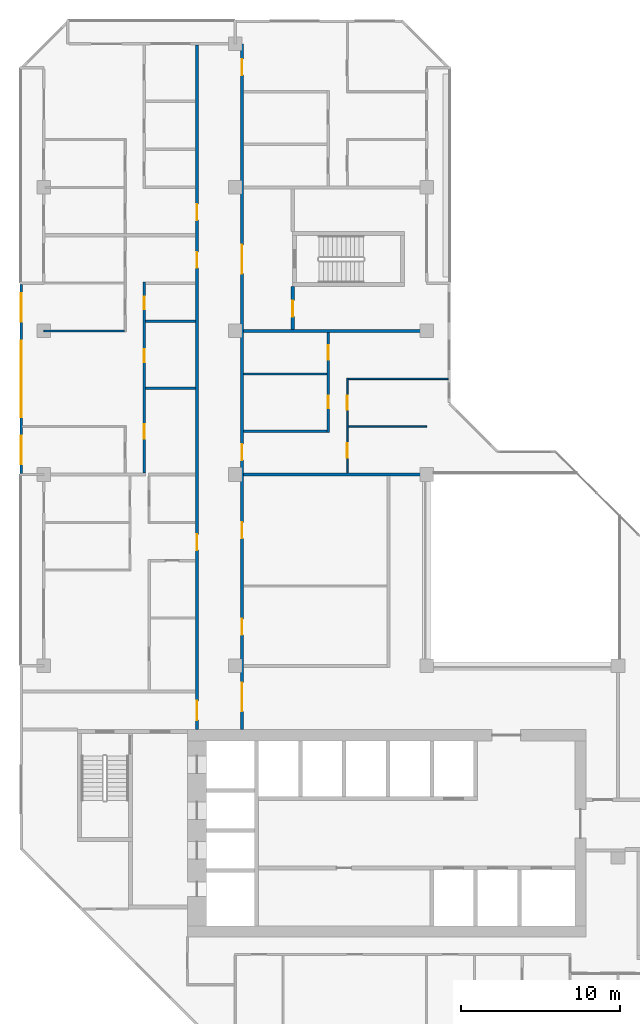
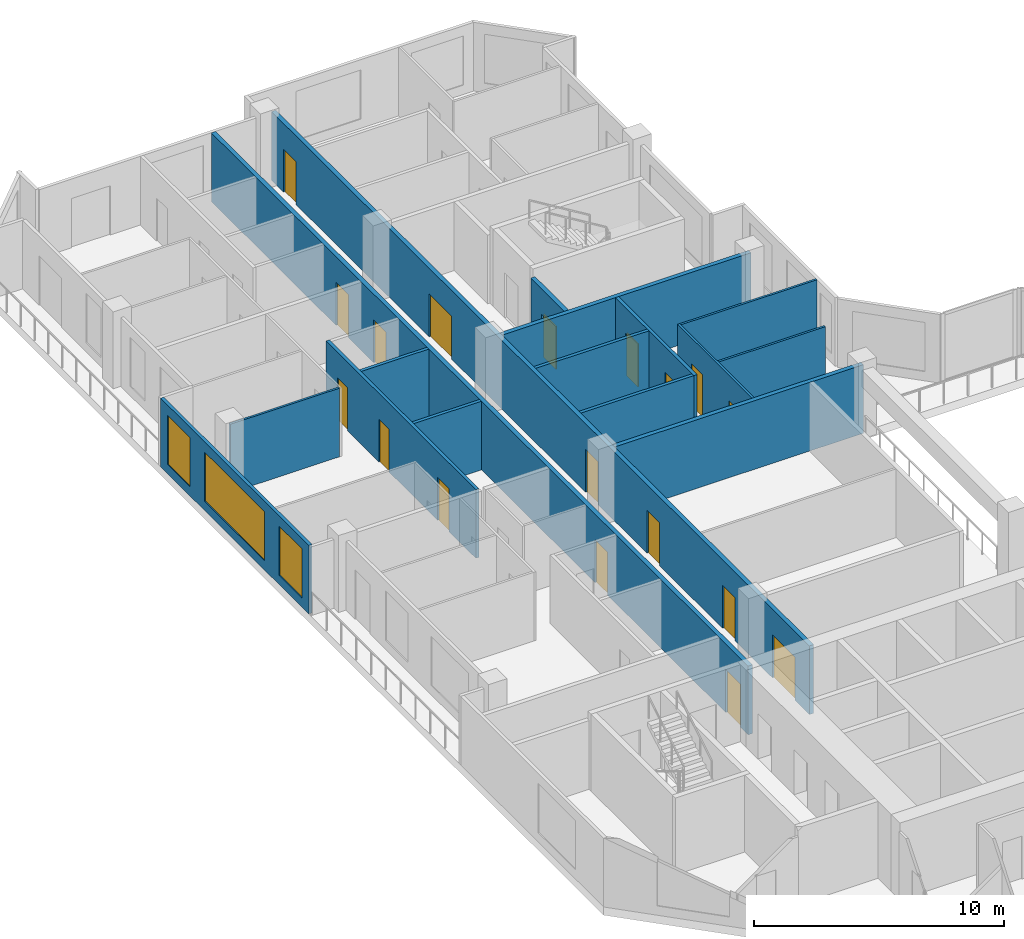
# One storey, part 9 of 14: 18 doors, 16 walls, 3 windows, 21 openings.
"""IFC4 building model written with IfcOpenShell, lengths in metres."""

from ifc_helpers import new_model, si_unit, direction, frame, frame_2d, origin, place, context, subcontext, project, spatial, rectangle, extrude, material, layer, layer_set, type_object, element, fill, save


model = new_model("IFC4")

# Units and contexts
model_context = context("Model", 3, precision=1e-05, world=origin(), true_north=direction((0.0, 1.0)))
body_context = subcontext(model_context, "Body", "Model", "MODEL_VIEW")
ifc_project = project(units=[si_unit("LENGTHUNIT", "METRE"), si_unit("AREAUNIT", "SQUARE_METRE"), si_unit("VOLUMEUNIT", "CUBIC_METRE"), si_unit("PLANEANGLEUNIT", "RADIAN"), si_unit("MASSUNIT", "GRAM", prefix="KILO")], contexts=[model_context])

# Site, building, storey
site_placement = place(None, origin())
site = spatial("IfcSite", under=ifc_project, at=site_placement, CompositionType="ELEMENT")
building_placement = place(site_placement, origin())
building = spatial("IfcBuilding", under=site, at=building_placement, Name="Chenar Terraces", CompositionType="ELEMENT")
storey_placement = place(building_placement, frame((0.0, 0.0, 241.64990234375)))
storey = spatial("IfcBuildingStorey", under=building, at=storey_placement, Name="L57", CompositionType="ELEMENT", Elevation=241.64990234375)

# Wall, openings, doors
ifc_material_1 = material(Name="Gypsum board on steel studs with fire boards", Category="steel")
ifc_layer_1 = layer(ifc_material_1, 0.199951171875)
ifc_layer_set_1 = layer_set([ifc_layer_1], Name="Gypsum board on steel studs with fire boards")
wall_type_1 = type_object("IfcWallType", Name="Corridor wall 200", PredefinedType="PARTITIONING", material=ifc_layer_set_1)
wall_1_placement = place(storey_placement, frame((9.60009765625, 20.0, 0.0), z_axis=(0.0, 0.0, 1.0), x_axis=(0.0, 1.0, 0.0)))
wall_1 = element("IfcWall", 1, at=wall_1_placement, inside=storey, type_object=wall_type_1, Name="Partition L57-033", PredefinedType="PARTITIONING", context=body_context, shape_type="SweptSolid", body=[
    extrude(rectangle(XDim=42.926025390625, YDim=0.199951171875, at=frame_2d((21.462890625, 0.0))), origin(), (0.0, 0.0, 1.0), 3.35009765625),
])
opening_1_placement = place(wall_1_placement, frame((28.949951171875, 0.0, 0.0)))
opening_1 = element("IfcOpeningElement", 2, at=opening_1_placement, cuts=wall_1, Name="Opening DL57-28", PredefinedType="OPENING", context=body_context, shape_type="SweptSolid", body=[
    extrude(rectangle(XDim=1.0, YDim=2.10009765625, at=frame_2d((0.5, 1.050048828125))), frame((0.0, 0.10986328125, 0.0), z_axis=(0.0, -1.0, 0.0), x_axis=(1.0, 0.0, 0.0)), (0.0, 0.0, 1.0), 0.219970703125),
])
opening_2_placement = place(wall_1_placement, frame((31.949951171875, 0.0, 0.0)))
opening_2 = element("IfcOpeningElement", 3, at=opening_2_placement, cuts=wall_1, Name="Opening DL57-34", PredefinedType="OPENING", context=body_context, shape_type="SweptSolid", body=[
    extrude(rectangle(XDim=1.0, YDim=2.10009765625, at=frame_2d((0.5, 1.050048828125))), frame((0.0, 0.10986328125, 0.0), z_axis=(0.0, -1.0, 0.0), x_axis=(1.0, 0.0, 0.0)), (0.0, 0.0, 1.0), 0.219970703125),
])
opening_3_placement = place(wall_1_placement, frame((0.60009765625, 0.0, 0.0)))
opening_3 = element("IfcOpeningElement", 4, at=opening_3_placement, cuts=wall_1, Name="Opening DL57-38", PredefinedType="OPENING", context=body_context, shape_type="SweptSolid", body=[
    extrude(rectangle(XDim=1.199951171875, YDim=2.10009765625, at=frame_2d((0.60009765625, 1.050048828125))), frame((0.0, 0.10986328125, 0.0), z_axis=(0.0, -1.0, 0.0), x_axis=(1.0, 0.0, 0.0)), (0.0, 0.0, 1.0), 0.219970703125),
])
opening_4_placement = place(wall_1_placement, frame((11.25, 0.0, 0.0)))
opening_4 = element("IfcOpeningElement", 5, at=opening_4_placement, cuts=wall_1, Name="Opening DL57-63", PredefinedType="OPENING", context=body_context, shape_type="SweptSolid", body=[
    extrude(rectangle(XDim=1.0, YDim=2.10009765625, at=frame_2d((0.5, 1.050048828125))), frame((0.0, 0.10986328125, 0.0), z_axis=(0.0, -1.0, 0.0), x_axis=(1.0, 0.0, 0.0)), (0.0, 0.0, 1.0), 0.219970703125),
])
ifc_material_2 = material(Name="Steel-framed fire-resisting door leaf", Category="steel")
door_type_1 = type_object("IfcDoorType", Name="Fire door FD30S 1000 x 2100", OperationType="SINGLE_SWING_LEFT", PredefinedType="DOOR", material=ifc_material_2)
door_1_placement = place(opening_1_placement, origin())
door_1 = element("IfcDoor", 6, at=door_1_placement, inside=storey, type_object=door_type_1, Name="Door DL57-28", OperationType="SINGLE_SWING_LEFT", OverallHeight=2.10009765625, OverallWidth=1.0, PredefinedType="DOOR", context=body_context, shape_type="SweptSolid", body=[
    extrude(rectangle(XDim=1.0, YDim=2.10009765625, at=frame_2d((0.5, 1.050048828125))), frame((0.0, 0.02490234375, 0.0), z_axis=(0.0, -1.0, 0.0), x_axis=(1.0, 0.0, 0.0)), (0.0, 0.0, 1.0), 0.050048828125),
])
fill(opening_1, door_1)
door_2_placement = place(opening_2_placement, origin())
door_2 = element("IfcDoor", 7, at=door_2_placement, inside=storey, type_object=door_type_1, Name="Door DL57-34", OperationType="SINGLE_SWING_LEFT", OverallHeight=2.10009765625, OverallWidth=1.0, PredefinedType="DOOR", context=body_context, shape_type="SweptSolid", body=[
    extrude(rectangle(XDim=1.0, YDim=2.10009765625, at=frame_2d((0.5, 1.050048828125))), frame((0.0, 0.02490234375, 0.0), z_axis=(0.0, -1.0, 0.0), x_axis=(1.0, 0.0, 0.0)), (0.0, 0.0, 1.0), 0.050048828125),
])
fill(opening_2, door_2)
door_3_placement = place(opening_4_placement, origin())
door_3 = element("IfcDoor", 8, at=door_3_placement, inside=storey, type_object=door_type_1, Name="Door DL57-63", OperationType="SINGLE_SWING_LEFT", OverallHeight=2.10009765625, OverallWidth=1.0, PredefinedType="DOOR", context=body_context, shape_type="SweptSolid", body=[
    extrude(rectangle(XDim=1.0, YDim=2.10009765625, at=frame_2d((0.5, 1.050048828125))), frame((0.0, 0.02490234375, 0.0), z_axis=(0.0, -1.0, 0.0), x_axis=(1.0, 0.0, 0.0)), (0.0, 0.0, 1.0), 0.050048828125),
])
fill(opening_4, door_3)
ifc_material_3 = material(Name="Steel-framed fire-resisting door leaf", Category="steel")
door_type_2 = type_object("IfcDoorType", Name="Fire door FD30S 1200 x 2100", OperationType="SINGLE_SWING_LEFT", PredefinedType="DOOR", material=ifc_material_3)
door_4_placement = place(opening_3_placement, origin())
door_4 = element("IfcDoor", 9, at=door_4_placement, inside=storey, type_object=door_type_2, Name="Door DL57-38", OperationType="SINGLE_SWING_RIGHT", OverallHeight=2.10009765625, OverallWidth=1.199951171875, PredefinedType="DOOR", context=body_context, shape_type="SweptSolid", body=[
    extrude(rectangle(XDim=1.199951171875, YDim=2.10009765625, at=frame_2d((0.60009765625, 1.050048828125))), frame((0.0, 0.02490234375, 0.0), z_axis=(0.0, -1.0, 0.0), x_axis=(1.0, 0.0, 0.0)), (0.0, 0.0, 1.0), 0.050048828125),
])
fill(opening_3, door_4)

wall_2_placement = place(storey_placement, frame((12.425048828125, 20.0, 0.0), z_axis=(0.0, 0.0, 1.0), x_axis=(0.0, 1.0, 0.0)))
wall_2 = element("IfcWall", 10, at=wall_2_placement, inside=storey, type_object=wall_type_1, Name="Partition L57-036", PredefinedType="PARTITIONING", context=body_context, shape_type="SweptSolid", body=[
    extrude(rectangle(XDim=43.0, YDim=0.199951171875, at=frame_2d((21.5, 0.0))), origin(), (0.0, 0.0, 1.0), 3.35009765625),
])
opening_5_placement = place(wall_2_placement, frame((5.949951171875, 0.0, 0.0)))
opening_5 = element("IfcOpeningElement", 11, at=opening_5_placement, cuts=wall_2, Name="Opening DL57-1", PredefinedType="OPENING", context=body_context, shape_type="SweptSolid", body=[
    extrude(rectangle(XDim=1.0, YDim=2.10009765625, at=frame_2d((0.5, 1.050048828125))), frame((0.0, 0.10986328125, 0.0), z_axis=(0.0, -1.0, 0.0), x_axis=(1.0, 0.0, 0.0)), (0.0, 0.0, 1.0), 0.219970703125),
])
opening_6_placement = place(wall_2_placement, frame((12.0, 0.0, 0.0)))
opening_6 = element("IfcOpeningElement", 12, at=opening_6_placement, cuts=wall_2, Name="Opening DL57-2", PredefinedType="OPENING", context=body_context, shape_type="SweptSolid", body=[
    extrude(rectangle(XDim=1.0, YDim=2.10009765625, at=frame_2d((0.5, 1.050048828125))), frame((0.0, 0.10986328125, 0.0), z_axis=(0.0, -1.0, 0.0), x_axis=(1.0, 0.0, 0.0)), (0.0, 0.0, 1.0), 0.219970703125),
])
opening_7_placement = place(wall_2_placement, frame((16.89990234375, 0.0, 0.0)))
opening_7 = element("IfcOpeningElement", 13, at=opening_7_placement, cuts=wall_2, Name="Opening DL57-17", PredefinedType="OPENING", context=body_context, shape_type="SweptSolid", body=[
    extrude(rectangle(XDim=1.0, YDim=2.10009765625, at=frame_2d((0.5, 1.050048828125))), frame((0.0, 0.10986328125, 0.0), z_axis=(0.0, -1.0, 0.0), x_axis=(1.0, 0.0, 0.0)), (0.0, 0.0, 1.0), 0.219970703125),
])
opening_8_placement = place(wall_2_placement, frame((41.050048828125, 0.0, 0.0)))
opening_8 = element("IfcOpeningElement", 14, at=opening_8_placement, cuts=wall_2, Name="Opening DL57-22", PredefinedType="OPENING", context=body_context, shape_type="SweptSolid", body=[
    extrude(rectangle(XDim=1.0, YDim=2.10009765625, at=frame_2d((0.5, 1.050048828125))), frame((0.0, 0.10986328125, 0.0), z_axis=(0.0, -1.0, 0.0), x_axis=(1.0, 0.0, 0.0)), (0.0, 0.0, 1.0), 0.219970703125),
])
opening_9_placement = place(wall_2_placement, frame((1.14990234375, 0.0, 0.0)))
opening_9 = element("IfcOpeningElement", 15, at=opening_9_placement, cuts=wall_2, Name="Opening DL57-37", PredefinedType="OPENING", context=body_context, shape_type="SweptSolid", body=[
    extrude(rectangle(XDim=1.800048828125, YDim=2.10009765625, at=frame_2d((0.89990234375, 1.050048828125))), frame((0.0, 0.10986328125, 0.0), z_axis=(0.0, -1.0, 0.0), x_axis=(1.0, 0.0, 0.0)), (0.0, 0.0, 1.0), 0.219970703125),
])
opening_10_placement = place(wall_2_placement, frame((28.60009765625, 0.0, 0.0)))
opening_10 = element("IfcOpeningElement", 16, at=opening_10_placement, cuts=wall_2, Name="Opening DL57-39", PredefinedType="OPENING", context=body_context, shape_type="SweptSolid", body=[
    extrude(rectangle(XDim=1.800048828125, YDim=2.10009765625, at=frame_2d((0.89990234375, 1.050048828125))), frame((0.0, 0.10986328125, 0.0), z_axis=(0.0, -1.0, 0.0), x_axis=(1.0, 0.0, 0.0)), (0.0, 0.0, 1.0), 0.219970703125),
])
ifc_material_4 = material(Name="Steel-framed fire-resisting door leaf", Category="steel")
door_type_3 = type_object("IfcDoorType", Name="Fire door FD60 1000 x 2100", OperationType="SINGLE_SWING_LEFT", PredefinedType="DOOR", material=ifc_material_4)
door_5_placement = place(opening_5_placement, frame((1.0, 0.0, 0.0), z_axis=(0.0, 0.0, 1.0), x_axis=(-1.0, 0.0, 0.0)))
door_5 = element("IfcDoor", 17, at=door_5_placement, inside=storey, type_object=door_type_3, Name="Door DL57-1", OperationType="SINGLE_SWING_LEFT", OverallHeight=2.10009765625, OverallWidth=1.0, PredefinedType="DOOR", context=body_context, shape_type="SweptSolid", body=[
    extrude(rectangle(XDim=1.0, YDim=2.10009765625, at=frame_2d((0.5, 1.050048828125))), frame((0.0, 0.02490234375, 0.0), z_axis=(0.0, -1.0, 0.0), x_axis=(1.0, 0.0, 0.0)), (0.0, 0.0, 1.0), 0.050048828125),
])
fill(opening_5, door_5)
door_6_placement = place(opening_6_placement, frame((1.0, 0.0, 0.0), z_axis=(0.0, 0.0, 1.0), x_axis=(-1.0, 0.0, 0.0)))
door_6 = element("IfcDoor", 18, at=door_6_placement, inside=storey, type_object=door_type_3, Name="Door DL57-2", OperationType="SINGLE_SWING_LEFT", OverallHeight=2.10009765625, OverallWidth=1.0, PredefinedType="DOOR", context=body_context, shape_type="SweptSolid", body=[
    extrude(rectangle(XDim=1.0, YDim=2.10009765625, at=frame_2d((0.5, 1.050048828125))), frame((0.0, 0.02490234375, 0.0), z_axis=(0.0, -1.0, 0.0), x_axis=(1.0, 0.0, 0.0)), (0.0, 0.0, 1.0), 0.050048828125),
])
fill(opening_6, door_6)
door_7_placement = place(opening_7_placement, frame((1.0, 0.0, 0.0), z_axis=(0.0, 0.0, 1.0), x_axis=(-1.0, 0.0, 0.0)))
door_7 = element("IfcDoor", 19, at=door_7_placement, inside=storey, type_object=door_type_3, Name="Door DL57-17", OperationType="SINGLE_SWING_LEFT", OverallHeight=2.10009765625, OverallWidth=1.0, PredefinedType="DOOR", context=body_context, shape_type="SweptSolid", body=[
    extrude(rectangle(XDim=1.0, YDim=2.10009765625, at=frame_2d((0.5, 1.050048828125))), frame((0.0, 0.02490234375, 0.0), z_axis=(0.0, -1.0, 0.0), x_axis=(1.0, 0.0, 0.0)), (0.0, 0.0, 1.0), 0.050048828125),
])
fill(opening_7, door_7)
door_8_placement = place(opening_8_placement, frame((1.0, 0.0, 0.0), z_axis=(0.0, 0.0, 1.0), x_axis=(-1.0, 0.0, 0.0)))
door_8 = element("IfcDoor", 20, at=door_8_placement, inside=storey, type_object=door_type_3, Name="Door DL57-22", OperationType="SINGLE_SWING_RIGHT", OverallHeight=2.10009765625, OverallWidth=1.0, PredefinedType="DOOR", context=body_context, shape_type="SweptSolid", body=[
    extrude(rectangle(XDim=1.0, YDim=2.10009765625, at=frame_2d((0.5, 1.050048828125))), frame((0.0, 0.02490234375, 0.0), z_axis=(0.0, -1.0, 0.0), x_axis=(1.0, 0.0, 0.0)), (0.0, 0.0, 1.0), 0.050048828125),
])
fill(opening_8, door_8)
ifc_material_5 = material(Name="Steel-framed fire-resisting door leaf", Category="steel")
door_type_4 = type_object("IfcDoorType", Name="Fire double door FD60 1800 x 2100", OperationType="DOUBLE_DOOR_SINGLE_SWING", PredefinedType="DOOR", material=ifc_material_5)
door_9_placement = place(opening_9_placement, frame((1.800048828125, 0.0, 0.0), z_axis=(0.0, 0.0, 1.0), x_axis=(-1.0, 0.0, 0.0)))
door_9 = element("IfcDoor", 21, at=door_9_placement, inside=storey, type_object=door_type_4, Name="Door DL57-37", OperationType="DOUBLE_DOOR_SINGLE_SWING", OverallHeight=2.10009765625, OverallWidth=1.800048828125, PredefinedType="DOOR", context=body_context, shape_type="SweptSolid", body=[
    extrude(rectangle(XDim=1.800048828125, YDim=2.10009765625, at=frame_2d((0.89990234375, 1.050048828125))), frame((0.0, 0.02490234375, 0.0), z_axis=(0.0, -1.0, 0.0), x_axis=(1.0, 0.0, 0.0)), (0.0, 0.0, 1.0), 0.050048828125),
])
fill(opening_9, door_9)
door_10_placement = place(opening_10_placement, frame((1.800048828125, 0.0, 0.0), z_axis=(0.0, 0.0, 1.0), x_axis=(-1.0, 0.0, 0.0)))
door_10 = element("IfcDoor", 22, at=door_10_placement, inside=storey, type_object=door_type_4, Name="Door DL57-39", OperationType="DOUBLE_DOOR_SINGLE_SWING", OverallHeight=2.10009765625, OverallWidth=1.800048828125, PredefinedType="DOOR", context=body_context, shape_type="SweptSolid", body=[
    extrude(rectangle(XDim=1.800048828125, YDim=2.10009765625, at=frame_2d((0.89990234375, 1.050048828125))), frame((0.0, 0.02490234375, 0.0), z_axis=(0.0, -1.0, 0.0), x_axis=(1.0, 0.0, 0.0)), (0.0, 0.0, 1.0), 0.050048828125),
])
fill(opening_10, door_10)

# Wall, opening, door
wall_3_placement = place(storey_placement, frame((15.60009765625, 45.10009765625, 0.0), z_axis=(0.0, 0.0, 1.0), x_axis=(0.0, 1.0, 0.0)))
wall_3 = element("IfcWall", 23, at=wall_3_placement, inside=storey, type_object=wall_type_1, Name="Partition L57-047", PredefinedType="PARTITIONING", context=body_context, shape_type="SweptSolid", body=[
    extrude(rectangle(XDim=2.6748046875, YDim=0.199951171875, at=frame_2d((1.33740234375, 0.0))), origin(), (0.0, 0.0, 1.0), 3.35009765625),
])
opening_11_placement = place(wall_3_placement, frame((0.800048828125, 0.0, 0.0)))
opening_11 = element("IfcOpeningElement", 24, at=opening_11_placement, cuts=wall_3, Name="Opening DL57-41", PredefinedType="OPENING", context=body_context, shape_type="SweptSolid", body=[
    extrude(rectangle(XDim=1.0, YDim=2.10009765625, at=frame_2d((0.5, 1.050048828125))), frame((0.0, 0.10986328125, 0.0), z_axis=(0.0, -1.0, 0.0), x_axis=(1.0, 0.0, 0.0)), (0.0, 0.0, 1.0), 0.219970703125),
])
door_11_placement = place(opening_11_placement, frame((1.0, 0.0, 0.0), z_axis=(0.0, 0.0, 1.0), x_axis=(-1.0, 0.0, 0.0)))
door_11 = element("IfcDoor", 25, at=door_11_placement, inside=storey, type_object=door_type_3, Name="Door DL57-41", OperationType="SINGLE_SWING_RIGHT", OverallHeight=2.10009765625, OverallWidth=1.0, PredefinedType="DOOR", context=body_context, shape_type="SweptSolid", body=[
    extrude(rectangle(XDim=1.0, YDim=2.10009765625, at=frame_2d((0.5, 1.050048828125))), frame((0.0, 0.02490234375, 0.0), z_axis=(0.0, -1.0, 0.0), x_axis=(1.0, 0.0, 0.0)), (0.0, 0.0, 1.0), 0.050048828125),
])
fill(opening_11, door_11)

# Wall, openings, windows
ifc_material_6 = material(Name="Aluminium framed glazing", Category="aluminium")
ifc_layer_2 = layer(ifc_material_6, 0.14990234375)
ifc_layer_set_2 = layer_set([ifc_layer_2], Name="Aluminium framed glazing")
wall_type_2 = type_object("IfcWallType", Name="Glazed flush facade wall 150", PredefinedType="SOLIDWALL", material=ifc_layer_set_2)
wall_4_placement = place(storey_placement, frame((-1.425048828125, 47.925048828125, 0.0), z_axis=(0.0, 0.0, 1.0), x_axis=(0.0, -1.0, 0.0)))
wall_4 = element("IfcWall", 26, at=wall_4_placement, inside=storey, type_object=wall_type_2, Name="Glazed flush facade wall", PredefinedType="SOLIDWALL", context=body_context, shape_type="SweptSolid", body=[
    extrude(rectangle(XDim=11.85009765625, YDim=0.14990234375, at=frame_2d((5.925048828125, 0.0))), origin(), (0.0, 0.0, 1.0), 3.35009765625),
])
opening_12_placement = place(wall_4_placement, frame((0.5625, 0.0, 0.449951171875)))
opening_12 = element("IfcOpeningElement", 27, at=opening_12_placement, cuts=wall_4, Name="Opening W180x240", PredefinedType="OPENING", context=body_context, shape_type="SweptSolid", body=[
    extrude(rectangle(XDim=1.800048828125, YDim=2.39990234375, at=frame_2d((0.89990234375, 1.199951171875))), frame((0.0, 0.0849609375, 0.0), z_axis=(0.0, -1.0, 0.0), x_axis=(1.0, 0.0, 0.0)), (0.0, 0.0, 1.0), 0.169921875),
])
opening_13_placement = place(wall_4_placement, frame((3.52490234375, 0.0, 0.449951171875)))
opening_13 = element("IfcOpeningElement", 28, at=opening_13_placement, cuts=wall_4, Name="Opening W480x240", PredefinedType="OPENING", context=body_context, shape_type="SweptSolid", body=[
    extrude(rectangle(XDim=4.800048828125, YDim=2.39990234375, at=frame_2d((2.39990234375, 1.199951171875))), frame((0.0, 0.0849609375, 0.0), z_axis=(0.0, -1.0, 0.0), x_axis=(1.0, 0.0, 0.0)), (0.0, 0.0, 1.0), 0.169921875),
])
opening_14_placement = place(wall_4_placement, frame((9.487548828125, 0.0, 0.449951171875)))
opening_14 = element("IfcOpeningElement", 29, at=opening_14_placement, cuts=wall_4, Name="Opening W180x240", PredefinedType="OPENING", context=body_context, shape_type="SweptSolid", body=[
    extrude(rectangle(XDim=1.800048828125, YDim=2.39990234375, at=frame_2d((0.89990234375, 1.199951171875))), frame((0.0, 0.0849609375, 0.0), z_axis=(0.0, -1.0, 0.0), x_axis=(1.0, 0.0, 0.0)), (0.0, 0.0, 1.0), 0.169921875),
])
ifc_material_7 = material(Name="Low emissivity double glazing, aluminium frame", Category="aluminium")
window_type_1 = type_object("IfcWindowType", Name="Fixed light 1800 x 2400", PartitioningType="SINGLE_PANEL", PredefinedType="WINDOW", material=ifc_material_7)
window_1_placement = place(opening_12_placement, origin())
window_1 = element("IfcWindow", 30, at=window_1_placement, inside=storey, type_object=window_type_1, Name="Window", OverallHeight=2.39990234375, OverallWidth=1.800048828125, PartitioningType="SINGLE_PANEL", PredefinedType="WINDOW", context=body_context, shape_type="SweptSolid", body=[
    extrude(rectangle(XDim=1.800048828125, YDim=2.39990234375, at=frame_2d((0.89990234375, 1.199951171875))), frame((0.0, 0.030029296875, 0.0), z_axis=(0.0, -1.0, 0.0), x_axis=(1.0, 0.0, 0.0)), (0.0, 0.0, 1.0), 0.06005859375),
])
fill(opening_12, window_1)
window_2_placement = place(opening_14_placement, origin())
window_2 = element("IfcWindow", 31, at=window_2_placement, inside=storey, type_object=window_type_1, Name="Window", OverallHeight=2.39990234375, OverallWidth=1.800048828125, PartitioningType="SINGLE_PANEL", PredefinedType="WINDOW", context=body_context, shape_type="SweptSolid", body=[
    extrude(rectangle(XDim=1.800048828125, YDim=2.39990234375, at=frame_2d((0.89990234375, 1.199951171875))), frame((0.0, 0.030029296875, 0.0), z_axis=(0.0, -1.0, 0.0), x_axis=(1.0, 0.0, 0.0)), (0.0, 0.0, 1.0), 0.06005859375),
])
fill(opening_14, window_2)
ifc_material_8 = material(Name="Low emissivity double glazing, aluminium frame", Category="aluminium")
window_type_2 = type_object("IfcWindowType", Name="Fixed light 4800 x 2400", PartitioningType="SINGLE_PANEL", PredefinedType="WINDOW", material=ifc_material_8)
window_3_placement = place(opening_13_placement, origin())
window_3 = element("IfcWindow", 32, at=window_3_placement, inside=storey, type_object=window_type_2, Name="Window", OverallHeight=2.39990234375, OverallWidth=4.800048828125, PartitioningType="SINGLE_PANEL", PredefinedType="WINDOW", context=body_context, shape_type="SweptSolid", body=[
    extrude(rectangle(XDim=4.800048828125, YDim=2.39990234375, at=frame_2d((2.39990234375, 1.199951171875))), frame((0.0, 0.030029296875, 0.0), z_axis=(0.0, -1.0, 0.0), x_axis=(1.0, 0.0, 0.0)), (0.0, 0.0, 1.0), 0.06005859375),
])
fill(opening_13, window_3)

# Wall
ifc_material_9 = material(Name="Gypsum board on steel studs", Category="steel")
ifc_layer_3 = layer(ifc_material_9, 0.10009765625)
ifc_layer_set_3 = layer_set([ifc_layer_3], Name="Gypsum board on steel studs")
wall_type_3 = type_object("IfcWallType", Name="Gypsum partition 100", PredefinedType="PARTITIONING", material=ifc_layer_set_3)
wall_5_placement = place(storey_placement, frame((0.0, 45.0, 0.0), z_axis=(0.0, 0.0, 1.0), x_axis=(1.0, 0.0, 0.0)))
element("IfcWall", 33, at=wall_5_placement, inside=storey, type_object=wall_type_3, Name="Partition L57-005", PredefinedType="PARTITIONING", context=body_context, shape_type="SweptSolid", body=[
    extrude(rectangle(XDim=5.050048828125, YDim=0.10009765625, at=frame_2d((2.52490234375, 0.0))), origin(), (0.0, 0.0, 1.0), 3.35009765625),
])

# Wall, openings, doors
wall_6_placement = place(storey_placement, frame((19.02490234375, 36.10009765625, 0.0), z_axis=(0.0, 0.0, 1.0), x_axis=(0.0, 1.0, 0.0)))
wall_6 = element("IfcWall", 34, at=wall_6_placement, inside=storey, type_object=wall_type_3, Name="Partition L57-053", PredefinedType="PARTITIONING", context=body_context, shape_type="SweptSolid", body=[
    extrude(rectangle(XDim=5.949951171875, YDim=0.10009765625, at=frame_2d((2.97509765625, 0.0))), origin(), (0.0, 0.0, 1.0), 3.35009765625),
])
opening_15_placement = place(wall_6_placement, frame((0.949951171875, 0.0, 0.0)))
opening_15 = element("IfcOpeningElement", 35, at=opening_15_placement, cuts=wall_6, Name="Opening DL57-14", PredefinedType="OPENING", context=body_context, shape_type="SweptSolid", body=[
    extrude(rectangle(XDim=0.89990234375, YDim=2.10009765625, at=frame_2d((0.449951171875, 1.050048828125))), frame((0.0, 0.06005859375, 0.0), z_axis=(0.0, -1.0, 0.0), x_axis=(1.0, 0.0, 0.0)), (0.0, 0.0, 1.0), 0.1201171875),
])
opening_16_placement = place(wall_6_placement, frame((3.949951171875, 0.0, 0.0)))
opening_16 = element("IfcOpeningElement", 36, at=opening_16_placement, cuts=wall_6, Name="Opening DL57-15", PredefinedType="OPENING", context=body_context, shape_type="SweptSolid", body=[
    extrude(rectangle(XDim=0.89990234375, YDim=2.10009765625, at=frame_2d((0.449951171875, 1.050048828125))), frame((0.0, 0.06005859375, 0.0), z_axis=(0.0, -1.0, 0.0), x_axis=(1.0, 0.0, 0.0)), (0.0, 0.0, 1.0), 0.1201171875),
])
ifc_material_10 = material(Name="Veneered timber door leaf", Category="wood")
door_type_5 = type_object("IfcDoorType", Name="Door 900 x 2100", OperationType="SINGLE_SWING_LEFT", PredefinedType="DOOR", material=ifc_material_10)
door_12_placement = place(opening_15_placement, frame((0.89990234375, 0.0, 0.0), z_axis=(0.0, 0.0, 1.0), x_axis=(-1.0, 0.0, 0.0)))
door_12 = element("IfcDoor", 37, at=door_12_placement, inside=storey, type_object=door_type_5, Name="Door DL57-14", OperationType="SINGLE_SWING_LEFT", OverallHeight=2.10009765625, OverallWidth=0.89990234375, PredefinedType="DOOR", context=body_context, shape_type="SweptSolid", body=[
    extrude(rectangle(XDim=0.89990234375, YDim=2.10009765625, at=frame_2d((0.449951171875, 1.050048828125))), frame((0.0, 0.02490234375, 0.0), z_axis=(0.0, -1.0, 0.0), x_axis=(1.0, 0.0, 0.0)), (0.0, 0.0, 1.0), 0.050048828125),
])
fill(opening_15, door_12)
door_13_placement = place(opening_16_placement, frame((0.89990234375, 0.0, 0.0), z_axis=(0.0, 0.0, 1.0), x_axis=(-1.0, 0.0, 0.0)))
door_13 = element("IfcDoor", 38, at=door_13_placement, inside=storey, type_object=door_type_5, Name="Door DL57-15", OperationType="SINGLE_SWING_LEFT", OverallHeight=2.10009765625, OverallWidth=0.89990234375, PredefinedType="DOOR", context=body_context, shape_type="SweptSolid", body=[
    extrude(rectangle(XDim=0.89990234375, YDim=2.10009765625, at=frame_2d((0.449951171875, 1.050048828125))), frame((0.0, 0.02490234375, 0.0), z_axis=(0.0, -1.0, 0.0), x_axis=(1.0, 0.0, 0.0)), (0.0, 0.0, 1.0), 0.050048828125),
])
fill(opening_16, door_13)

# Walls
wall_7_placement = place(storey_placement, frame((19.074951171875, 39.0, 0.0), z_axis=(0.0, 0.0, 1.0), x_axis=(1.0, 0.0, 0.0)))
element("IfcWall", 39, at=wall_7_placement, inside=storey, type_object=wall_type_3, Name="Partition L57-056", PredefinedType="PARTITIONING", context=body_context, shape_type="SweptSolid", body=[
    extrude(rectangle(XDim=4.925048828125, YDim=0.10009765625, at=frame_2d((2.46240234375, 0.0))), origin(), (0.0, 0.0, 1.0), 3.35009765625),
])
wall_8_placement = place(storey_placement, frame((19.074951171875, 42.0, 0.0), z_axis=(0.0, 0.0, 1.0), x_axis=(1.0, 0.0, 0.0)))
element("IfcWall", 40, at=wall_8_placement, inside=storey, type_object=wall_type_3, Name="Partition L57-057", PredefinedType="PARTITIONING", context=body_context, shape_type="SweptSolid", body=[
    extrude(rectangle(XDim=6.275146484375, YDim=0.10009765625, at=frame_2d((3.1376953125, 0.0))), origin(), (0.0, 0.0, 1.0), 3.35009765625),
])
ifc_material_11 = material(Name="Twin gypsum board on steel studs with mineral wool", Category="steel")
ifc_layer_4 = layer(ifc_material_11, 0.199951171875)
ifc_layer_set_4 = layer_set([ifc_layer_4], Name="Twin gypsum board on steel studs with mineral wool")
wall_type_4 = type_object("IfcWallType", Name="Unit demising wall 200", PredefinedType="PARTITIONING", material=ifc_layer_set_4)
for number, where, z_axis, x_axis, name in (
    (41, (12.52490234375, 36.0, 0.0), (0.0, 0.0, 1.0), (1.0, 0.0, 0.0), "Partition L57-039"),
    (42, (12.52490234375, 45.0, 0.0), (0.0, 0.0, 1.0), (1.0, 0.0, 0.0), "Partition L57-042"),
):
    element("IfcWall", number, at=place(storey_placement, frame(where, z_axis=z_axis, x_axis=x_axis)), inside=storey, type_object=wall_type_4, Name=name, PredefinedType="PARTITIONING", context=body_context, shape_type="SweptSolid", body=[
        extrude(rectangle(XDim=11.47509765625, YDim=0.199951171875, at=frame_2d((5.737548828125, 0.0))), origin(), (0.0, 0.0, 1.0), 3.35009765625),
    ])

# Wall, openings, doors
ifc_material_12 = material(Name="Moisture-resistant gypsum board on steel studs", Category="steel")
ifc_layer_5 = layer(ifc_material_12, 0.14990234375)
ifc_layer_set_5 = layer_set([ifc_layer_5], Name="Moisture-resistant gypsum board on steel studs")
wall_type_5 = type_object("IfcWallType", Name="Wet-room partition 150", PredefinedType="PARTITIONING", material=ifc_layer_set_5)
wall_9_placement = place(storey_placement, frame((6.300048828125, 36.10009765625, 0.0), z_axis=(0.0, 0.0, 1.0), x_axis=(0.0, 1.0, 0.0)))
wall_9 = element("IfcWall", 43, at=wall_9_placement, inside=storey, type_object=wall_type_5, Name="Partition L57-017", PredefinedType="PARTITIONING", context=body_context, shape_type="SweptSolid", body=[
    extrude(rectangle(XDim=11.974853515625, YDim=0.14990234375, at=frame_2d((5.9873046875, 0.0))), origin(), (0.0, 0.0, 1.0), 3.35009765625),
])
opening_17_placement = place(wall_9_placement, frame((6.949951171875, 0.0, 0.0)))
opening_17 = element("IfcOpeningElement", 44, at=opening_17_placement, cuts=wall_9, Name="Opening DL57-23", PredefinedType="OPENING", context=body_context, shape_type="SweptSolid", body=[
    extrude(rectangle(XDim=0.800048828125, YDim=2.10009765625, at=frame_2d((0.39990234375, 1.050048828125))), frame((0.0, 0.0849609375, 0.0), z_axis=(0.0, -1.0, 0.0), x_axis=(1.0, 0.0, 0.0)), (0.0, 0.0, 1.0), 0.169921875),
])
opening_18_placement = place(wall_9_placement, frame((2.14990234375, 0.0, 0.0)))
opening_18 = element("IfcOpeningElement", 45, at=opening_18_placement, cuts=wall_9, Name="Opening DL57-27", PredefinedType="OPENING", context=body_context, shape_type="SweptSolid", body=[
    extrude(rectangle(XDim=0.89990234375, YDim=2.10009765625, at=frame_2d((0.449951171875, 1.050048828125))), frame((0.0, 0.0849609375, 0.0), z_axis=(0.0, -1.0, 0.0), x_axis=(1.0, 0.0, 0.0)), (0.0, 0.0, 1.0), 0.169921875),
])
opening_19_placement = place(wall_9_placement, frame((10.25, 0.0, 0.0)))
opening_19 = element("IfcOpeningElement", 46, at=opening_19_placement, cuts=wall_9, Name="Opening DL57-29", PredefinedType="OPENING", context=body_context, shape_type="SweptSolid", body=[
    extrude(rectangle(XDim=0.800048828125, YDim=2.10009765625, at=frame_2d((0.39990234375, 1.050048828125))), frame((0.0, 0.0849609375, 0.0), z_axis=(0.0, -1.0, 0.0), x_axis=(1.0, 0.0, 0.0)), (0.0, 0.0, 1.0), 0.169921875),
])
ifc_material_13 = material(Name="Veneered timber door leaf", Category="wood")
door_type_6 = type_object("IfcDoorType", Name="Door 800 x 2100", OperationType="SINGLE_SWING_LEFT", PredefinedType="DOOR", material=ifc_material_13)
door_14_placement = place(opening_17_placement, frame((0.800048828125, 0.0, 0.0), z_axis=(0.0, 0.0, 1.0), x_axis=(-1.0, 0.0, 0.0)))
door_14 = element("IfcDoor", 47, at=door_14_placement, inside=storey, type_object=door_type_6, Name="Door DL57-23", OperationType="SINGLE_SWING_LEFT", OverallHeight=2.10009765625, OverallWidth=0.800048828125, PredefinedType="DOOR", context=body_context, shape_type="SweptSolid", body=[
    extrude(rectangle(XDim=0.800048828125, YDim=2.10009765625, at=frame_2d((0.39990234375, 1.050048828125))), frame((0.0, 0.02490234375, 0.0), z_axis=(0.0, -1.0, 0.0), x_axis=(1.0, 0.0, 0.0)), (0.0, 0.0, 1.0), 0.050048828125),
])
fill(opening_17, door_14)
door_15_placement = place(opening_19_placement, frame((0.800048828125, 0.0, 0.0), z_axis=(0.0, 0.0, 1.0), x_axis=(-1.0, 0.0, 0.0)))
door_15 = element("IfcDoor", 48, at=door_15_placement, inside=storey, type_object=door_type_6, Name="Door DL57-29", OperationType="SINGLE_SWING_RIGHT", OverallHeight=2.10009765625, OverallWidth=0.800048828125, PredefinedType="DOOR", context=body_context, shape_type="SweptSolid", body=[
    extrude(rectangle(XDim=0.800048828125, YDim=2.10009765625, at=frame_2d((0.39990234375, 1.050048828125))), frame((0.0, 0.02490234375, 0.0), z_axis=(0.0, -1.0, 0.0), x_axis=(1.0, 0.0, 0.0)), (0.0, 0.0, 1.0), 0.050048828125),
])
fill(opening_19, door_15)
door_16_placement = place(opening_18_placement, frame((0.89990234375, 0.0, 0.0), z_axis=(0.0, 0.0, 1.0), x_axis=(-1.0, 0.0, 0.0)))
door_16 = element("IfcDoor", 49, at=door_16_placement, inside=storey, type_object=door_type_5, Name="Door DL57-27", OperationType="SINGLE_SWING_LEFT", OverallHeight=2.10009765625, OverallWidth=0.89990234375, PredefinedType="DOOR", context=body_context, shape_type="SweptSolid", body=[
    extrude(rectangle(XDim=0.89990234375, YDim=2.10009765625, at=frame_2d((0.449951171875, 1.050048828125))), frame((0.0, 0.02490234375, 0.0), z_axis=(0.0, -1.0, 0.0), x_axis=(1.0, 0.0, 0.0)), (0.0, 0.0, 1.0), 0.050048828125),
])
fill(opening_18, door_16)

# Walls
for number, where, z_axis, x_axis, name in (
    (50, (6.375, 41.39990234375, 0.0), (0.0, 0.0, 1.0), (1.0, 0.0, 0.0), "Partition L57-019"),
    (51, (6.375, 45.60009765625, 0.0), (0.0, 0.0, 1.0), (1.0, 0.0, 0.0), "Partition L57-020"),
):
    element("IfcWall", number, at=place(storey_placement, frame(where, z_axis=z_axis, x_axis=x_axis)), inside=storey, type_object=wall_type_5, Name=name, PredefinedType="PARTITIONING", context=body_context, shape_type="SweptSolid", body=[
        extrude(rectangle(XDim=3.125, YDim=0.14990234375, at=frame_2d((1.5625, 0.0))), origin(), (0.0, 0.0, 1.0), 3.35009765625),
    ])
for number, where, z_axis, x_axis, name in (
    (52, (12.52490234375, 38.699951171875, 0.0), (0.0, 0.0, 1.0), (1.0, 0.0, 0.0), "Partition L57-040"),
    (53, (12.52490234375, 42.300048828125, 0.0), (0.0, 0.0, 1.0), (1.0, 0.0, 0.0), "Partition L57-041"),
):
    element("IfcWall", number, at=place(storey_placement, frame(where, z_axis=z_axis, x_axis=x_axis)), inside=storey, type_object=wall_type_5, Name=name, PredefinedType="PARTITIONING", context=body_context, shape_type="SweptSolid", body=[
        extrude(rectangle(XDim=5.22509765625, YDim=0.14990234375, at=frame_2d((2.612548828125, 0.0))), origin(), (0.0, 0.0, 1.0), 3.35009765625),
    ])

# Wall, openings, doors
wall_10_placement = place(storey_placement, frame((17.824951171875, 38.625, 0.0), z_axis=(0.0, 0.0, 1.0), x_axis=(0.0, 1.0, 0.0)))
wall_10 = element("IfcWall", 54, at=wall_10_placement, inside=storey, type_object=wall_type_5, Name="Partition L57-049", PredefinedType="PARTITIONING", context=body_context, shape_type="SweptSolid", body=[
    extrude(rectangle(XDim=6.27490234375, YDim=0.14990234375, at=frame_2d((3.137451171875, 0.0))), origin(), (0.0, 0.0, 1.0), 3.35009765625),
])
opening_20_placement = place(wall_10_placement, frame((1.52490234375, 0.0, 0.0)))
opening_20 = element("IfcOpeningElement", 55, at=opening_20_placement, cuts=wall_10, Name="Opening DL57-13", PredefinedType="OPENING", context=body_context, shape_type="SweptSolid", body=[
    extrude(rectangle(XDim=0.800048828125, YDim=2.10009765625, at=frame_2d((0.39990234375, 1.050048828125))), frame((0.0, 0.0849609375, 0.0), z_axis=(0.0, -1.0, 0.0), x_axis=(1.0, 0.0, 0.0)), (0.0, 0.0, 1.0), 0.169921875),
])
opening_21_placement = place(wall_10_placement, frame((4.574951171875, 0.0, 0.0)))
opening_21 = element("IfcOpeningElement", 56, at=opening_21_placement, cuts=wall_10, Name="Opening DL57-16", PredefinedType="OPENING", context=body_context, shape_type="SweptSolid", body=[
    extrude(rectangle(XDim=0.89990234375, YDim=2.10009765625, at=frame_2d((0.449951171875, 1.050048828125))), frame((0.0, 0.0849609375, 0.0), z_axis=(0.0, -1.0, 0.0), x_axis=(1.0, 0.0, 0.0)), (0.0, 0.0, 1.0), 0.169921875),
])
door_17_placement = place(opening_20_placement, origin())
door_17 = element("IfcDoor", 57, at=door_17_placement, inside=storey, type_object=door_type_6, Name="Door DL57-13", OperationType="SINGLE_SWING_RIGHT", OverallHeight=2.10009765625, OverallWidth=0.800048828125, PredefinedType="DOOR", context=body_context, shape_type="SweptSolid", body=[
    extrude(rectangle(XDim=0.800048828125, YDim=2.10009765625, at=frame_2d((0.39990234375, 1.050048828125))), frame((0.0, 0.02490234375, 0.0), z_axis=(0.0, -1.0, 0.0), x_axis=(1.0, 0.0, 0.0)), (0.0, 0.0, 1.0), 0.050048828125),
])
fill(opening_20, door_17)
door_18_placement = place(opening_21_placement, origin())
door_18 = element("IfcDoor", 58, at=door_18_placement, inside=storey, type_object=door_type_5, Name="Door DL57-16", OperationType="SINGLE_SWING_RIGHT", OverallHeight=2.10009765625, OverallWidth=0.89990234375, PredefinedType="DOOR", context=body_context, shape_type="SweptSolid", body=[
    extrude(rectangle(XDim=0.89990234375, YDim=2.10009765625, at=frame_2d((0.449951171875, 1.050048828125))), frame((0.0, 0.02490234375, 0.0), z_axis=(0.0, -1.0, 0.0), x_axis=(1.0, 0.0, 0.0)), (0.0, 0.0, 1.0), 0.050048828125),
])
fill(opening_21, door_18)

save(model, "model.ifc")
